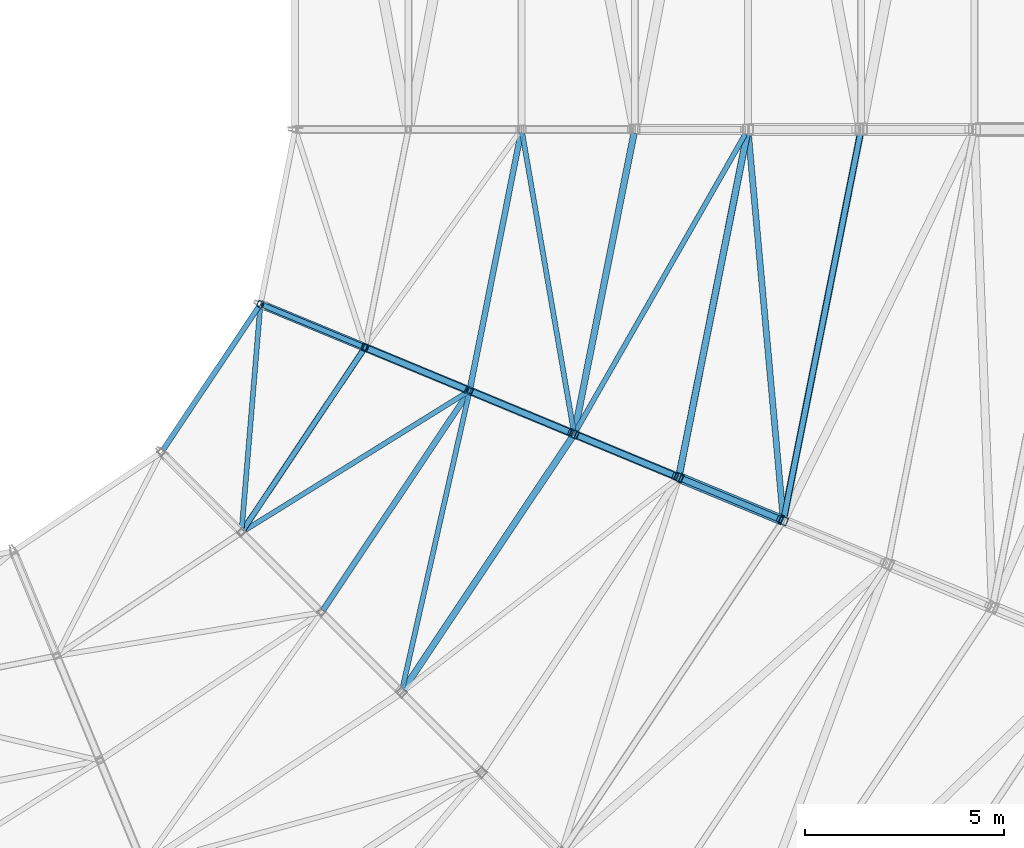
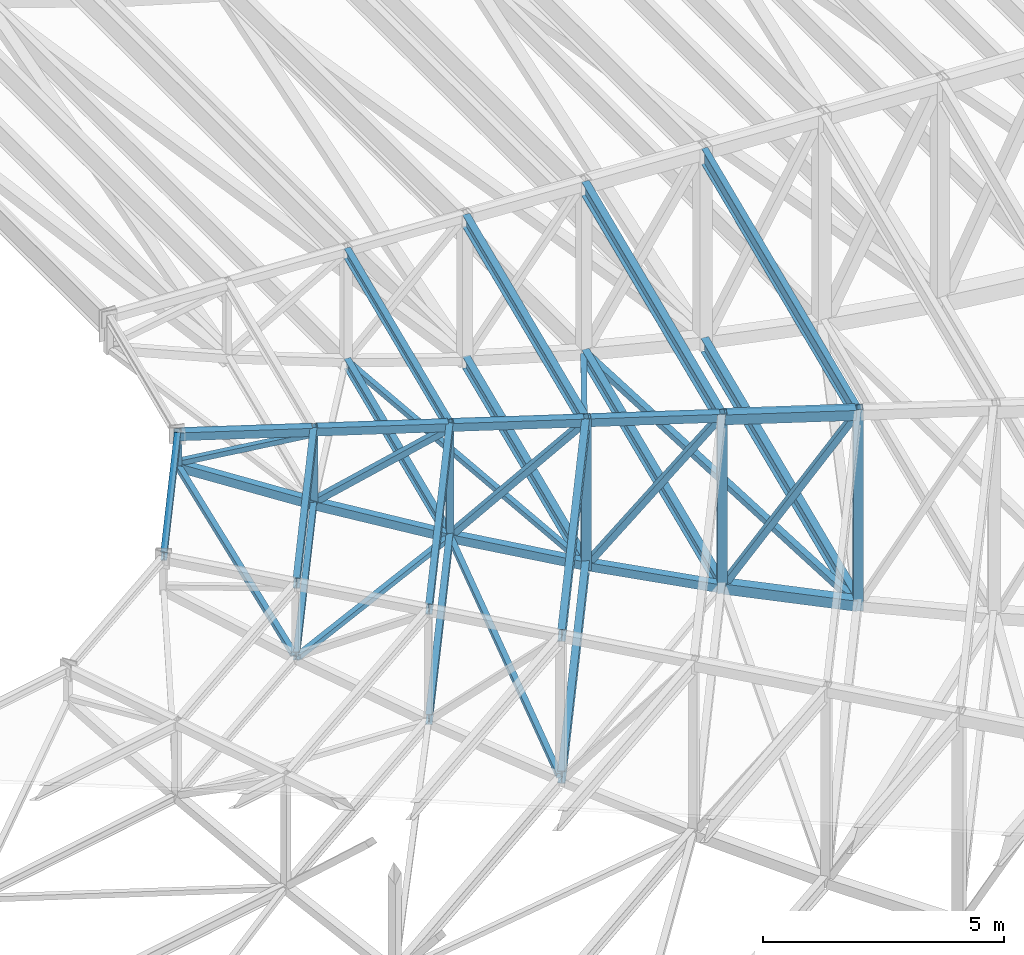
# One storey, part 48 of 278: 26 members, 16 beams.
"""IFC4 building model written with IfcOpenShell, lengths in metres."""

from ifc_helpers import new_model, si_unit, direction, frame, origin, origin_2d, place, context, subcontext, project, spatial, hollow_rectangle, i_section, extrude, material, material_profile, profile_set, type_object, element, save


model = new_model("IFC4")

# Units and contexts
model_context = context("Model", 3, precision=1e-05, world=origin(), true_north=direction((0.0, 1.0)))
body_context = subcontext(model_context, "Body", "Model", "MODEL_VIEW")
ifc_project = project(units=[si_unit("LENGTHUNIT", "METRE"), si_unit("AREAUNIT", "SQUARE_METRE"), si_unit("VOLUMEUNIT", "CUBIC_METRE"), si_unit("PLANEANGLEUNIT", "RADIAN"), si_unit("MASSUNIT", "GRAM", prefix="KILO")], contexts=[model_context])

# Site, building, storey
site_placement = place(None, origin())
site = spatial("IfcSite", under=ifc_project, at=site_placement, CompositionType="ELEMENT")
building_placement = place(site_placement, origin())
building = spatial("IfcBuilding", under=site, at=building_placement, Name="Ogive Plaza Stadium", CompositionType="ELEMENT")
storey_placement = place(building_placement, frame((0.0, 0.0, 29.0)))
storey = spatial("IfcBuildingStorey", under=building, at=storey_placement, Name="Roof", CompositionType="ELEMENT", Elevation=29.0)

# Members
ifc_material_1 = material(Name="Steel ASTM A500 Grade C", Category="steel")
ifc_material_profile_1 = material_profile(ifc_material_1, hollow_rectangle(XDim=0.126953125, YDim=0.126953125, WallThickness=0.005859375, at=origin_2d()), Name="HSS5X5X1/4")
ifc_profile_set_1 = profile_set([ifc_material_profile_1], Name="Steel ASTM A500 Grade C")
member_type_1 = type_object("IfcMemberType", Name="Roof plan brace HSS5X5X1/4", PredefinedType="BRACE", material=ifc_profile_set_1)
member_1_placement = place(storey_placement, frame((51.21435546875, -52.582763671875, 4.203125), z_axis=(0.168729355142, -0.977977485533, -0.122843162221), x_axis=(0.985441121251, 0.170017047815, 0.0)))
element("IfcMember", 1, at=member_1_placement, inside=storey, type_object=member_type_1, Name="ROOF BRACE B08 3", PredefinedType="BRACE", context=body_context, shape_type="SweptSolid", body=[
    extrude(hollow_rectangle(XDim=0.126953125, YDim=0.126953125, WallThickness=0.005859375, at=origin_2d()), origin(), (0.0, 0.0, 1.0), 7.629638671875),
])
member_2_placement = place(storey_placement, frame((52.563720703125, -60.10302734375, 3.242431640625), z_axis=(0.493347767192, 0.86502645405, -0.091308347927), x_axis=(-0.868655115078, 0.495417289815, 0.0)))
element("IfcMember", 2, at=member_2_placement, inside=storey, type_object=member_type_1, Name="ROOF BRACE B08 4", PredefinedType="BRACE", context=body_context, shape_type="SweptSolid", body=[
    extrude(hollow_rectangle(XDim=0.126953125, YDim=0.126953125, WallThickness=0.005859375, at=origin_2d()), origin(), (0.0, 0.0, 1.0), 8.636474609375),
])
member_3_placement = place(storey_placement, frame((44.618896484375, -56.970947265625, 6.51171875), z_axis=(-0.081056653084, -0.974951652245, -0.207120966527), x_axis=(0.996561754685, -0.082853298664, 0.0)))
element("IfcMember", 3, at=member_3_placement, inside=storey, type_object=member_type_1, Name="ROOF BRACE B09 1", PredefinedType="BRACE", context=body_context, shape_type="SweptSolid", body=[
    extrude(hollow_rectangle(XDim=0.126953125, YDim=0.126953125, WallThickness=0.005859375, at=origin_2d()), origin(), (0.0, 0.0, 1.0), 5.695556640625),
])
member_4_placement = place(storey_placement, frame((44.20068359375, -62.61376953125, 5.295654296875), z_axis=(0.838776078421, 0.520585571833, -0.159515995024), x_axis=(-0.527337952885, 0.849655626385, 0.0)))
element("IfcMember", 4, at=member_4_placement, inside=storey, type_object=member_type_1, Name="ROOF BRACE B09 2", PredefinedType="BRACE", context=body_context, shape_type="SweptSolid", body=[
    extrude(hollow_rectangle(XDim=0.126953125, YDim=0.126953125, WallThickness=0.005859375, at=origin_2d()), origin(), (0.0, 0.0, 1.0), 6.673095703125),
])
member_5_placement = place(storey_placement, frame((49.8779296875, -59.138916015625, 4.206298828125), z_axis=(-0.218386127806, -0.968099836714, -0.122842196891), x_axis=(0.97548797168, -0.220052759827, 0.0)))
element("IfcMember", 5, at=member_5_placement, inside=storey, type_object=member_type_1, Name="ROOF BRACE B09 3", PredefinedType="BRACE", context=body_context, shape_type="SweptSolid", body=[
    extrude(hollow_rectangle(XDim=0.126953125, YDim=0.126953125, WallThickness=0.005859375, at=origin_2d()), origin(), (0.0, 0.0, 1.0), 7.655517578125),
])
ifc_material_2 = material(Name="Steel ASTM A500 Grade C", Category="steel")
ifc_material_profile_2 = material_profile(ifc_material_2, hollow_rectangle(XDim=0.15234375, YDim=0.15234375, WallThickness=0.005859375, at=origin_2d()), Name="HSS6X6X1/4")
ifc_profile_set_2 = profile_set([ifc_material_profile_2], Name="Steel ASTM A500 Grade C")
member_type_2 = type_object("IfcMemberType", Name="Roof plan brace HSS6X6X1/4", PredefinedType="BRACE", material=ifc_profile_set_2)
member_6_placement = place(storey_placement, frame((56.909423828125, -52.60400390625, 2.4326171875), z_axis=(0.089721773876, -0.993414799326, -0.071253349206), x_axis=(0.995946245829, 0.089950405331, 0.0)))
element("IfcMember", 6, at=member_6_placement, inside=storey, type_object=member_type_2, Name="ROOF BRACE B08 5", PredefinedType="BRACE", context=body_context, shape_type="SweptSolid", body=[
    extrude(hollow_rectangle(XDim=0.15234375, YDim=0.15234375, WallThickness=0.005859375, at=origin_2d()), origin(), (0.0, 0.0, 1.0), 9.689697265625),
])
ifc_material_3 = material(Name="Steel ASTM A992 Grade 50", Category="steel")
ifc_material_profile_3 = material_profile(ifc_material_3, i_section(OverallWidth=0.14599609375, OverallDepth=0.25830078125, WebThickness=0.006103515625, FlangeThickness=0.009033203125, at=origin_2d()), Name="W10X22")
ifc_profile_set_3 = profile_set([ifc_material_profile_3], Name="Steel ASTM A992 Grade 50")
member_type_3 = type_object("IfcMemberType", Name="Roof plan strut W10X22", PredefinedType="STRUT", material=ifc_profile_set_3)
member_7_placement = place(storey_placement, frame((51.182861328125, -52.58642578125, 4.213623046875), z_axis=(-0.195099869772, -0.980783381188, 0.0), x_axis=(0.980783381188, -0.195099869772, 0.0)))
element("IfcMember", 7, at=member_7_placement, inside=storey, type_object=member_type_3, Name="ROOF STRUT B08 2", PredefinedType="STRUT", context=body_context, shape_type="SweptSolid", body=[
    extrude(i_section(OverallWidth=0.14599609375, OverallDepth=0.25830078125, WebThickness=0.006103515625, FlangeThickness=0.009033203125, at=origin_2d()), origin(), (0.0, 0.0, 1.0), 6.560791015625),
])
member_8_placement = place(storey_placement, frame((49.856201171875, -59.1337890625, 4.213623046875), z_axis=(-0.555563791422, -0.831473916404, 0.0), x_axis=(0.831473916404, -0.555563791422, 0.0)))
element("IfcMember", 8, at=member_8_placement, inside=storey, type_object=member_type_3, Name="ROOF STRUT B09 2", PredefinedType="STRUT", context=body_context, shape_type="SweptSolid", body=[
    extrude(i_section(OverallWidth=0.14599609375, OverallDepth=0.25830078125, WebThickness=0.006103515625, FlangeThickness=0.009033203125, at=origin_2d()), origin(), (0.0, 0.0, 1.0), 6.5869140625),
])
ifc_material_4 = material(Name="Steel ASTM A992 Grade 50", Category="steel")
ifc_material_profile_4 = material_profile(ifc_material_4, i_section(OverallWidth=0.164794921875, OverallDepth=0.310302734375, WebThickness=0.005859375, FlangeThickness=0.009765625, at=origin_2d()), Name="W12X26")
ifc_profile_set_4 = profile_set([ifc_material_profile_4], Name="Steel ASTM A992 Grade 50")
member_type_4 = type_object("IfcMemberType", Name="Roof plan strut W12X26", PredefinedType="STRUT", material=ifc_profile_set_4)
member_9_placement = place(storey_placement, frame((54.032470703125, -52.588134765625, 3.249755859375), z_axis=(-0.195102482268, -0.9807828615, 0.0), x_axis=(0.9807828615, -0.195102482268, 0.0)))
element("IfcMember", 9, at=member_9_placement, inside=storey, type_object=member_type_4, Name="ROOF STRUT B08 3", PredefinedType="STRUT", context=body_context, shape_type="SweptSolid", body=[
    extrude(i_section(OverallWidth=0.164794921875, OverallDepth=0.310302734375, WebThickness=0.005859375, FlangeThickness=0.009765625, at=origin_2d()), origin(), (0.0, 0.0, 1.0), 7.643310546875),
])
member_10_placement = place(storey_placement, frame((56.87744140625, -52.61376953125, 2.43994140625), z_axis=(-0.195104879523, -0.980782384623, 0.0), x_axis=(0.980782384623, -0.195104879523, 0.0)))
element("IfcMember", 10, at=member_10_placement, inside=storey, type_object=member_type_4, Name="ROOF STRUT B08 4", PredefinedType="STRUT", context=body_context, shape_type="SweptSolid", body=[
    extrude(i_section(OverallWidth=0.164794921875, OverallDepth=0.310302734375, WebThickness=0.005859375, FlangeThickness=0.009765625, at=origin_2d()), origin(), (0.0, 0.0, 1.0), 8.729248046875),
])
member_11_placement = place(storey_placement, frame((52.473876953125, -60.24755859375, 3.249755859375), z_axis=(-0.555562324677, -0.831474896434, 0.0), x_axis=(0.831474896434, -0.555562324677, 0.0)))
element("IfcMember", 11, at=member_11_placement, inside=storey, type_object=member_type_4, Name="ROOF STRUT B09 3", PredefinedType="STRUT", context=body_context, shape_type="SweptSolid", body=[
    extrude(i_section(OverallWidth=0.164794921875, OverallDepth=0.310302734375, WebThickness=0.005859375, FlangeThickness=0.009765625, at=origin_2d()), origin(), (0.0, 0.0, 1.0), 7.643310546875),
])
ifc_material_5 = material(Name="Steel ASTM A992 Grade 50", Category="steel")
ifc_material_profile_5 = material_profile(ifc_material_5, i_section(OverallWidth=0.17138671875, OverallDepth=0.35498046875, WebThickness=0.00732421875, FlangeThickness=0.011474609375, at=origin_2d()), Name="W14X34")
ifc_profile_set_5 = profile_set([ifc_material_profile_5], Name="Steel ASTM A992 Grade 50")
member_type_5 = type_object("IfcMemberType", Name="Roof plan strut W14X34", PredefinedType="STRUT", material=ifc_profile_set_5)
member_12_placement = place(storey_placement, frame((59.72216796875, -52.6396484375, 1.733154296875), z_axis=(-0.19508268848, -0.980786798777, 0.0), x_axis=(0.980786798777, -0.19508268848, 0.0)))
element("IfcMember", 12, at=member_12_placement, inside=storey, type_object=member_type_5, Name="ROOF STRUT B08 5", PredefinedType="STRUT", context=body_context, shape_type="SweptSolid", body=[
    extrude(i_section(OverallWidth=0.17138671875, OverallDepth=0.35498046875, WebThickness=0.00732421875, FlangeThickness=0.011474609375, at=origin_2d()), origin(), (0.0, 0.0, 1.0), 9.81396484375),
])
ifc_material_6 = material(Name="Steel ASTM A992 Grade 50", Category="steel")
ifc_material_profile_6 = material_profile(ifc_material_6, i_section(OverallWidth=0.13330078125, OverallDepth=0.206787109375, WebThickness=0.005859375, FlangeThickness=0.00830078125, at=origin_2d()), Name="W8X18")
ifc_profile_set_6 = profile_set([ifc_material_profile_6], Name="Steel ASTM A992 Grade 50")
member_type_6 = type_object("IfcMemberType", Name="Roof plan strut W8X18", PredefinedType="STRUT", material=ifc_profile_set_6)
member_13_placement = place(storey_placement, frame((47.223876953125, -58.042236328125, 5.305908203125), z_axis=(-0.555584527762, -0.831460060683, 0.0), x_axis=(0.831460060683, -0.555584527762, 0.0)))
element("IfcMember", 13, at=member_13_placement, inside=storey, type_object=member_type_6, Name="ROOF STRUT B09 1", PredefinedType="STRUT", context=body_context, shape_type="SweptSolid", body=[
    extrude(i_section(OverallWidth=0.13330078125, OverallDepth=0.206787109375, WebThickness=0.005859375, FlangeThickness=0.00830078125, at=origin_2d()), origin(), (0.0, 0.0, 1.0), 5.47705078125),
])
ifc_material_7 = material(Name="Steel ASTM A992 Grade 50", Category="steel")
ifc_material_profile_7 = material_profile(ifc_material_7, i_section(OverallWidth=0.14599609375, OverallDepth=0.25830078125, WebThickness=0.006103515625, FlangeThickness=0.009033203125, at=origin_2d()), Name="W10X22")
ifc_profile_set_7 = profile_set([ifc_material_profile_7], Name="Steel ASTM A992 Grade 50")
member_type_7 = type_object("IfcMemberType", Name="Roof purlin W10X22", PredefinedType="PURLIN", material=ifc_profile_set_7)
member_14_placement = place(storey_placement, frame((51.182861328125, -52.58642578125, 7.0107421875), z_axis=(-0.195099869772, -0.980783381188, 0.0), x_axis=(0.980783381188, -0.195099869772, 0.0)))
element("IfcMember", 14, at=member_14_placement, inside=storey, type_object=member_type_7, Name="ROOF PURLIN B08 2", PredefinedType="PURLIN", context=body_context, shape_type="SweptSolid", body=[
    extrude(i_section(OverallWidth=0.14599609375, OverallDepth=0.25830078125, WebThickness=0.006103515625, FlangeThickness=0.009033203125, at=origin_2d()), origin(), (0.0, 0.0, 1.0), 6.560791015625),
])
member_15_placement = place(storey_placement, frame((47.22314453125, -58.043212890625, 7.1533203125), z_axis=(-0.55556435353, -0.831473540822, 0.0), x_axis=(0.831473540822, -0.55556435353, 0.0)))
element("IfcMember", 15, at=member_15_placement, inside=storey, type_object=member_type_7, Name="ROOF PURLIN B09 1", PredefinedType="PURLIN", context=body_context, shape_type="SweptSolid", body=[
    extrude(i_section(OverallWidth=0.14599609375, OverallDepth=0.25830078125, WebThickness=0.006103515625, FlangeThickness=0.009033203125, at=origin_2d()), origin(), (0.0, 0.0, 1.0), 5.474609375),
])
member_16_placement = place(storey_placement, frame((49.856201171875, -59.1337890625, 7.0107421875), z_axis=(-0.555563791422, -0.831473916404, 0.0), x_axis=(0.831473916404, -0.555563791422, 0.0)))
element("IfcMember", 16, at=member_16_placement, inside=storey, type_object=member_type_7, Name="ROOF PURLIN B09 2", PredefinedType="PURLIN", context=body_context, shape_type="SweptSolid", body=[
    extrude(i_section(OverallWidth=0.14599609375, OverallDepth=0.25830078125, WebThickness=0.006103515625, FlangeThickness=0.009033203125, at=origin_2d()), origin(), (0.0, 0.0, 1.0), 6.5869140625),
])
ifc_material_8 = material(Name="Steel ASTM A992 Grade 50", Category="steel")
ifc_material_profile_8 = material_profile(ifc_material_8, i_section(OverallWidth=0.164794921875, OverallDepth=0.310302734375, WebThickness=0.005859375, FlangeThickness=0.009765625, at=origin_2d()), Name="W12X26")
ifc_profile_set_8 = profile_set([ifc_material_profile_8], Name="Steel ASTM A992 Grade 50")
member_type_8 = type_object("IfcMemberType", Name="Roof purlin W12X26", PredefinedType="PURLIN", material=ifc_profile_set_8)
for number, where, z_axis, x_axis, name in (
    (17, (54.032470703125, -52.588134765625, 6.84228515625), (-0.195102482268, -0.9807828615, 0.0), (0.9807828615, -0.195102482268, 0.0), "ROOF PURLIN B08 3"),
    (18, (52.473876953125, -60.24755859375, 6.84228515625), (-0.555562324677, -0.831474896434, 0.0), (0.831474896434, -0.555562324677, 0.0), "ROOF PURLIN B09 3"),
):
    element("IfcMember", number, at=place(storey_placement, frame(where, z_axis=z_axis, x_axis=x_axis)), inside=storey, type_object=member_type_8, Name=name, PredefinedType="PURLIN", context=body_context, shape_type="SweptSolid", body=[
        extrude(i_section(OverallWidth=0.164794921875, OverallDepth=0.310302734375, WebThickness=0.005859375, FlangeThickness=0.009765625, at=origin_2d()), origin(), (0.0, 0.0, 1.0), 7.643310546875),
    ])
ifc_material_9 = material(Name="Steel ASTM A992 Grade 50", Category="steel")
ifc_material_profile_9 = material_profile(ifc_material_9, i_section(OverallWidth=0.17138671875, OverallDepth=0.35498046875, WebThickness=0.00732421875, FlangeThickness=0.011474609375, at=origin_2d()), Name="W14X34")
ifc_profile_set_9 = profile_set([ifc_material_profile_9], Name="Steel ASTM A992 Grade 50")
member_type_9 = type_object("IfcMemberType", Name="Roof purlin W14X34", PredefinedType="PURLIN", material=ifc_profile_set_9)
member_17_placement = place(storey_placement, frame((56.877197265625, -52.6142578125, 6.677490234375), z_axis=(-0.195077827826, -0.980787765569, 0.0), x_axis=(0.980787765569, -0.195077827826, 0.0)))
element("IfcMember", 19, at=member_17_placement, inside=storey, type_object=member_type_9, Name="ROOF PURLIN B08 4", PredefinedType="PURLIN", context=body_context, shape_type="SweptSolid", body=[
    extrude(i_section(OverallWidth=0.17138671875, OverallDepth=0.35498046875, WebThickness=0.00732421875, FlangeThickness=0.011474609375, at=origin_2d()), origin(), (0.0, 0.0, 1.0), 8.72802734375),
])
ifc_material_10 = material(Name="Steel ASTM A992 Grade 50", Category="steel")
ifc_material_profile_10 = material_profile(ifc_material_10, i_section(OverallWidth=0.140380859375, OverallDepth=0.4033203125, WebThickness=0.007080078125, FlangeThickness=0.01123046875, at=origin_2d()), Name="W16X31")
ifc_profile_set_10 = profile_set([ifc_material_profile_10], Name="Steel ASTM A992 Grade 50")
member_type_10 = type_object("IfcMemberType", Name="Roof purlin W16X31", PredefinedType="PURLIN", material=ifc_profile_set_10)
member_18_placement = place(storey_placement, frame((59.722900390625, -52.63671875, 6.5107421875), z_axis=(-0.195107258144, -0.980781911446, 0.0), x_axis=(0.980781911446, -0.195107258144, 0.0)))
element("IfcMember", 20, at=member_18_placement, inside=storey, type_object=member_type_10, Name="ROOF PURLIN B08 5", PredefinedType="PURLIN", context=body_context, shape_type="SweptSolid", body=[
    extrude(i_section(OverallWidth=0.140380859375, OverallDepth=0.4033203125, WebThickness=0.007080078125, FlangeThickness=0.01123046875, at=origin_2d()), origin(), (0.0, 0.0, 1.0), 9.8203125),
])
ifc_material_11 = material(Name="Steel ASTM A992 Grade 50", Category="steel")
ifc_material_profile_11 = material_profile(ifc_material_11, i_section(OverallWidth=0.13330078125, OverallDepth=0.206787109375, WebThickness=0.005859375, FlangeThickness=0.00830078125, at=origin_2d()), Name="W8X18")
ifc_profile_set_11 = profile_set([ifc_material_profile_11], Name="Steel ASTM A992 Grade 50")
member_type_11 = type_object("IfcMemberType", Name="Roof tip ring beam W8X18", PredefinedType="MEMBER", material=ifc_profile_set_11)
member_19_placement = place(storey_placement, frame((44.5908203125, -56.95166015625, 7.321533203125), z_axis=(-0.555603345252, -0.831447486462, 0.0), x_axis=(0.831447486462, -0.555603345252, 0.0)))
element("IfcMember", 21, at=member_19_placement, inside=storey, type_object=member_type_11, Name="RING BEAM B09", PredefinedType="MEMBER", context=body_context, shape_type="SweptSolid", body=[
    extrude(i_section(OverallWidth=0.13330078125, OverallDepth=0.206787109375, WebThickness=0.005859375, FlangeThickness=0.00830078125, at=origin_2d()), origin(), (0.0, 0.0, 1.0), 4.365234375),
])

# Beams
ifc_material_12 = material(Name="Steel ASTM A500 Grade C", Category="steel")
ifc_material_profile_12 = material_profile(ifc_material_12, hollow_rectangle(XDim=0.25390625, YDim=0.25390625, WallThickness=0.01171875, at=origin_2d()), Name="HSS10X10X1/2")
ifc_profile_set_12 = profile_set([ifc_material_profile_12], Name="Steel ASTM A500 Grade C")
beam_type_1 = type_object("IfcBeamType", Name="Roof truss bottom chord HSS10X10X1/2", PredefinedType="BEAM", material=ifc_profile_set_12)
beam_1_placement = place(storey_placement, frame((55.195556640625, -61.279541015625, 2.433349609375), z_axis=(0.89673257633, -0.371439859665, -0.240630665544), x_axis=(0.382684368678, 0.923879144677, 0.0)))
element("IfcBeam", 22, at=beam_1_placement, inside=storey, type_object=beam_type_1, Name="ROOF TRUSS T09 BOTTOM CHORD 5", PredefinedType="BEAM", context=body_context, shape_type="SweptSolid", body=[
    extrude(hollow_rectangle(XDim=0.25390625, YDim=0.25390625, WallThickness=0.01171875, at=origin_2d()), origin(), (0.0, 0.0, 1.0), 2.849853515625),
])
ifc_material_13 = material(Name="Steel ASTM A500 Grade C", Category="steel")
ifc_material_profile_13 = material_profile(ifc_material_13, hollow_rectangle(XDim=0.203125, YDim=0.203125, WallThickness=0.01171875, at=origin_2d()), Name="HSS8X8X1/2")
ifc_profile_set_13 = profile_set([ifc_material_profile_13], Name="Steel ASTM A500 Grade C")
beam_type_2 = type_object("IfcBeamType", Name="Roof truss bottom chord HSS8X8X1/2", PredefinedType="BEAM", material=ifc_profile_set_13)
beam_2_placement = place(storey_placement, frame((44.66162109375, -56.916259765625, 6.518310546875), z_axis=(0.849251260717, -0.351765143459, -0.393743038055), x_axis=(0.382677632008, 0.923881935076, 0.0)))
element("IfcBeam", 23, at=beam_2_placement, inside=storey, type_object=beam_type_2, Name="ROOF TRUSS T09 BOTTOM CHORD 1", PredefinedType="BEAM", context=body_context, shape_type="SweptSolid", body=[
    extrude(hollow_rectangle(XDim=0.203125, YDim=0.203125, WallThickness=0.01171875, at=origin_2d()), origin(), (0.0, 0.0, 1.0), 3.047607421875),
])
beam_3_placement = place(storey_placement, frame((47.291259765625, -58.00537109375, 5.299072265625), z_axis=(0.862700869161, -0.357350015784, -0.357838198866), x_axis=(0.38269039354, 0.923876649068, 0.0)))
element("IfcBeam", 24, at=beam_3_placement, inside=storey, type_object=beam_type_2, Name="ROOF TRUSS T09 BOTTOM CHORD 2", PredefinedType="BEAM", context=body_context, shape_type="SweptSolid", body=[
    extrude(hollow_rectangle(XDim=0.203125, YDim=0.203125, WallThickness=0.01171875, at=origin_2d()), origin(), (0.0, 0.0, 1.0), 3.00048828125),
])
beam_4_placement = place(storey_placement, frame((49.9208984375, -59.0947265625, 4.208251953125), z_axis=(0.875211905582, -0.362478322525, -0.320333554327), x_axis=(0.382641697258, 0.923896818654, 0.0)))
element("IfcBeam", 25, at=beam_4_placement, inside=storey, type_object=beam_type_2, Name="ROOF TRUSS T09 BOTTOM CHORD 3", PredefinedType="BEAM", context=body_context, shape_type="SweptSolid", body=[
    extrude(hollow_rectangle(XDim=0.203125, YDim=0.203125, WallThickness=0.01171875, at=origin_2d()), origin(), (0.0, 0.0, 1.0), 2.93115234375),
])
beam_5_placement = place(storey_placement, frame((52.564697265625, -60.189697265625, 3.2412109375), z_axis=(0.886574426433, -0.36727087962, -0.281243466376), x_axis=(0.382718768474, 0.923864895024, 0.0)))
element("IfcBeam", 26, at=beam_5_placement, inside=storey, type_object=beam_type_2, Name="ROOF TRUSS T09 BOTTOM CHORD 4", PredefinedType="BEAM", context=body_context, shape_type="SweptSolid", body=[
    extrude(hollow_rectangle(XDim=0.203125, YDim=0.203125, WallThickness=0.01171875, at=origin_2d()), origin(), (0.0, 0.0, 1.0), 2.877685546875),
])

# Members
ifc_material_14 = material(Name="Steel ASTM A500 Grade C", Category="steel")
ifc_material_profile_14 = material_profile(ifc_material_14, hollow_rectangle(XDim=0.126953125, YDim=0.126953125, WallThickness=0.005859375, at=origin_2d()), Name="HSS5X5X1/4")
ifc_profile_set_14 = profile_set([ifc_material_profile_14], Name="Steel ASTM A500 Grade C")
member_type_12 = type_object("IfcMemberType", Name="Roof truss diagonal HSS5X5X1/4", PredefinedType="BRACE", material=ifc_profile_set_14)
member_20_placement = place(storey_placement, frame((44.695068359375, -56.929931640625, 6.628173828125), z_axis=(0.911200476609, -0.377494789927, 0.164958706972), x_axis=(0.382738120768, 0.923856877937, 0.0)))
element("IfcMember", 27, at=member_20_placement, inside=storey, type_object=member_type_12, Name="ROOF TRUSS T09 DIAGONAL 1", PredefinedType="BRACE", context=body_context, shape_type="SweptSolid", body=[
    extrude(hollow_rectangle(XDim=0.126953125, YDim=0.126953125, WallThickness=0.005859375, at=origin_2d()), origin(), (0.0, 0.0, 1.0), 2.735107421875),
])
ifc_material_15 = material(Name="Steel ASTM A500 Grade C", Category="steel")
ifc_material_profile_15 = material_profile(ifc_material_15, hollow_rectangle(XDim=0.15234375, YDim=0.15234375, WallThickness=0.005859375, at=origin_2d()), Name="HSS6X6X1/4")
ifc_profile_set_15 = profile_set([ifc_material_profile_15], Name="Steel ASTM A500 Grade C")
member_type_13 = type_object("IfcMemberType", Name="Roof truss diagonal HSS6X6X1/4", PredefinedType="BRACE", material=ifc_profile_set_15)
member_21_placement = place(storey_placement, frame((47.328125, -58.020751953125, 5.407470703125), z_axis=(0.803712399025, -0.332885582198, 0.493187153947), x_axis=(0.382660871212, 0.923888877324, 0.0)))
element("IfcMember", 28, at=member_21_placement, inside=storey, type_object=member_type_13, Name="ROOF TRUSS T09 DIAGONAL 2", PredefinedType="BRACE", context=body_context, shape_type="SweptSolid", body=[
    extrude(hollow_rectangle(XDim=0.15234375, YDim=0.15234375, WallThickness=0.005859375, at=origin_2d()), origin(), (0.0, 0.0, 1.0), 3.100830078125),
])
member_22_placement = place(storey_placement, frame((49.961181640625, -59.111328125, 4.315185546875), z_axis=(0.677295435038, -0.280576599819, 0.680108568767), x_axis=(0.382720275855, 0.923864270577, 0.0)))
element("IfcMember", 29, at=member_22_placement, inside=storey, type_object=member_type_13, Name="ROOF TRUSS T09 DIAGONAL 3", PredefinedType="BRACE", context=body_context, shape_type="SweptSolid", body=[
    extrude(hollow_rectangle(XDim=0.15234375, YDim=0.15234375, WallThickness=0.005859375, at=origin_2d()), origin(), (0.0, 0.0, 1.0), 3.64501953125),
])
member_23_placement = place(storey_placement, frame((52.61767578125, -60.211669921875, 3.3515625), z_axis=(0.578013230123, -0.239434593828, 0.780110108306), x_axis=(0.382702088427, 0.923871804697, 0.0)))
element("IfcMember", 30, at=member_23_placement, inside=storey, type_object=member_type_13, Name="ROOF TRUSS T09 DIAGONAL 4", PredefinedType="BRACE", context=body_context, shape_type="SweptSolid", body=[
    extrude(hollow_rectangle(XDim=0.15234375, YDim=0.15234375, WallThickness=0.005859375, at=origin_2d()), origin(), (0.0, 0.0, 1.0), 4.23046875),
])
member_24_placement = place(storey_placement, frame((55.250732421875, -61.30224609375, 2.56689453125), z_axis=(0.519572207016, -0.215226146856, 0.826875097827), x_axis=(0.382702088427, 0.923871804697, 0.0)))
element("IfcMember", 31, at=member_24_placement, inside=storey, type_object=member_type_13, Name="ROOF TRUSS T09 DIAGONAL 5", PredefinedType="BRACE", context=body_context, shape_type="SweptSolid", body=[
    extrude(hollow_rectangle(XDim=0.15234375, YDim=0.15234375, WallThickness=0.005859375, at=origin_2d()), origin(), (0.0, 0.0, 1.0), 4.706298828125),
])

# Beams
ifc_material_16 = material(Name="Steel ASTM A500 Grade C", Category="steel")
ifc_material_profile_16 = material_profile(ifc_material_16, hollow_rectangle(XDim=0.15234375, YDim=0.15234375, WallThickness=0.0087890625, at=origin_2d()), Name="HSS6X6X3/8")
ifc_profile_set_16 = profile_set([ifc_material_profile_16], Name="Steel ASTM A500 Grade C")
beam_type_3 = type_object("IfcBeamType", Name="Roof truss post HSS6X6X3/8", PredefinedType="BEAM", material=ifc_profile_set_16)
beam_6_placement = place(storey_placement, frame((44.62451171875, -56.90087890625, 6.425048828125), z_axis=(0.0, 0.0, 1.0), x_axis=(0.382683432365, 0.923879532511, 0.0)))
element("IfcBeam", 32, at=beam_6_placement, inside=storey, type_object=beam_type_3, Name="ROOF TRUSS T09 POST 1", PredefinedType="BEAM", context=body_context, shape_type="SweptSolid", body=[
    extrude(hollow_rectangle(XDim=0.15234375, YDim=0.15234375, WallThickness=0.0087890625, at=origin_2d()), origin(), (0.0, 0.0, 1.0), 1.0),
])
beam_7_placement = place(storey_placement, frame((47.257568359375, -57.991455078125, 5.204345703125), z_axis=(0.0, 0.0, 1.0), x_axis=(0.382683432365, 0.923879532511, 0.0)))
element("IfcBeam", 33, at=beam_7_placement, inside=storey, type_object=beam_type_3, Name="ROOF TRUSS T09 POST 2", PredefinedType="BEAM", context=body_context, shape_type="SweptSolid", body=[
    extrude(hollow_rectangle(XDim=0.15234375, YDim=0.15234375, WallThickness=0.0087890625, at=origin_2d()), origin(), (0.0, 0.0, 1.0), 2.078125),
])
beam_8_placement = place(storey_placement, frame((49.890625, -59.082275390625, 4.112060546875), z_axis=(0.0, 0.0, 1.0), x_axis=(0.382683432365, 0.923879532511, 0.0)))
element("IfcBeam", 34, at=beam_8_placement, inside=storey, type_object=beam_type_3, Name="ROOF TRUSS T09 POST 3", PredefinedType="BEAM", context=body_context, shape_type="SweptSolid", body=[
    extrude(hollow_rectangle(XDim=0.15234375, YDim=0.15234375, WallThickness=0.0087890625, at=origin_2d()), origin(), (0.0, 0.0, 1.0), 3.02783203125),
])
ifc_material_17 = material(Name="Steel ASTM A500 Grade C", Category="steel")
ifc_material_profile_17 = material_profile(ifc_material_17, hollow_rectangle(XDim=0.203125, YDim=0.203125, WallThickness=0.0087890625, at=origin_2d()), Name="HSS8X8X3/8")
ifc_profile_set_17 = profile_set([ifc_material_profile_17], Name="Steel ASTM A500 Grade C")
beam_type_4 = type_object("IfcBeamType", Name="Roof truss post HSS8X8X3/8", PredefinedType="BEAM", material=ifc_profile_set_17)
beam_9_placement = place(storey_placement, frame((52.523681640625, -60.1728515625, 3.148193359375), z_axis=(0.0, 0.0, 1.0), x_axis=(0.382683432365, 0.923879532511, 0.0)))
element("IfcBeam", 35, at=beam_9_placement, inside=storey, type_object=beam_type_4, Name="ROOF TRUSS T09 POST 4", PredefinedType="BEAM", context=body_context, shape_type="SweptSolid", body=[
    extrude(hollow_rectangle(XDim=0.203125, YDim=0.203125, WallThickness=0.0087890625, at=origin_2d()), origin(), (0.0, 0.0, 1.0), 3.849365234375),
])
beam_10_placement = place(storey_placement, frame((55.15673828125, -61.263427734375, 2.31298828125), z_axis=(0.0, 0.0, 1.0), x_axis=(0.382683432365, 0.923879532511, 0.0)))
element("IfcBeam", 36, at=beam_10_placement, inside=storey, type_object=beam_type_4, Name="ROOF TRUSS T09 POST 5", PredefinedType="BEAM", context=body_context, shape_type="SweptSolid", body=[
    extrude(hollow_rectangle(XDim=0.203125, YDim=0.203125, WallThickness=0.0087890625, at=origin_2d()), origin(), (0.0, 0.0, 1.0), 4.5419921875),
])
beam_11_placement = place(storey_placement, frame((57.789794921875, -62.35400390625, 1.606201171875), z_axis=(0.0, 0.0, 1.0), x_axis=(0.382683432365, 0.923879532511, 0.0)))
element("IfcBeam", 37, at=beam_11_placement, inside=storey, type_object=beam_type_4, Name="ROOF TRUSS T09 POST 6", PredefinedType="BEAM", context=body_context, shape_type="SweptSolid", body=[
    extrude(hollow_rectangle(XDim=0.203125, YDim=0.203125, WallThickness=0.0087890625, at=origin_2d()), origin(), (0.0, 0.0, 1.0), 5.106201171875),
])
ifc_material_18 = material(Name="Steel ASTM A500 Grade C", Category="steel")
ifc_material_profile_18 = material_profile(ifc_material_18, hollow_rectangle(XDim=0.25390625, YDim=0.25390625, WallThickness=0.0087890625, at=origin_2d()), Name="HSS10X10X3/8")
ifc_profile_set_18 = profile_set([ifc_material_profile_18], Name="Steel ASTM A500 Grade C")
beam_type_5 = type_object("IfcBeamType", Name="Roof truss top chord HSS10X10X3/8", PredefinedType="BEAM", material=ifc_profile_set_18)
beam_12_placement = place(storey_placement, frame((55.203125, -61.282470703125, 6.725341796875), z_axis=(0.922705839284, -0.382258780814, -0.049921524843), x_axis=(0.382735997737, 0.923857757469, 0.0)))
element("IfcBeam", 38, at=beam_12_placement, inside=storey, type_object=beam_type_5, Name="ROOF TRUSS T09 TOP CHORD 5", PredefinedType="BEAM", context=body_context, shape_type="SweptSolid", body=[
    extrude(hollow_rectangle(XDim=0.25390625, YDim=0.25390625, WallThickness=0.0087890625, at=origin_2d()), origin(), (0.0, 0.0, 1.0), 2.75341796875),
])
ifc_material_19 = material(Name="Steel ASTM A500 Grade C", Category="steel")
ifc_material_profile_19 = material_profile(ifc_material_19, hollow_rectangle(XDim=0.203125, YDim=0.203125, WallThickness=0.0087890625, at=origin_2d()), Name="HSS8X8X3/8")
ifc_profile_set_19 = profile_set([ifc_material_profile_19], Name="Steel ASTM A500 Grade C")
beam_type_6 = type_object("IfcBeamType", Name="Roof truss top chord HSS8X8X3/8", PredefinedType="BEAM", material=ifc_profile_set_19)
for number, where, z_axis, x_axis, name in (
    (39, (44.66259765625, -56.91650390625, 7.3212890625), (0.922709851429, -0.382245373816, -0.049950017735), (0.382723119906, 0.923863092395, 0.0), "ROOF TRUSS T09 TOP CHORD 1"),
    (40, (47.295654296875, -58.00732421875, 7.1787109375), (0.922740920758, -0.382170146482, -0.049951699644), (0.382647830777, 0.923894278368, 0.0), "ROOF TRUSS T09 TOP CHORD 2"),
):
    element("IfcBeam", number, at=place(storey_placement, frame(where, z_axis=z_axis, x_axis=x_axis)), inside=storey, type_object=beam_type_6, Name=name, PredefinedType="BEAM", context=body_context, shape_type="SweptSolid", body=[
        extrude(hollow_rectangle(XDim=0.203125, YDim=0.203125, WallThickness=0.0087890625, at=origin_2d()), origin(), (0.0, 0.0, 1.0), 2.771240234375),
    ])
beam_13_placement = place(storey_placement, frame((49.9287109375, -59.097900390625, 7.0361328125), z_axis=(0.922739022917, -0.382176583821, -0.049937504593), x_axis=(0.382654004196, 0.923891721509, 0.0)))
element("IfcBeam", 41, at=beam_13_placement, inside=storey, type_object=beam_type_6, Name="ROOF TRUSS T09 TOP CHORD 3", PredefinedType="BEAM", context=body_context, shape_type="SweptSolid", body=[
    extrude(hollow_rectangle(XDim=0.203125, YDim=0.203125, WallThickness=0.0087890625, at=origin_2d()), origin(), (0.0, 0.0, 1.0), 2.76220703125),
])
beam_14_placement = place(storey_placement, frame((52.570068359375, -60.19189453125, 6.893310546875), z_axis=(0.922705839284, -0.382258780814, -0.049921524843), x_axis=(0.382735997737, 0.923857757469, 0.0)))
element("IfcBeam", 42, at=beam_14_placement, inside=storey, type_object=beam_type_6, Name="ROOF TRUSS T09 TOP CHORD 4", PredefinedType="BEAM", context=body_context, shape_type="SweptSolid", body=[
    extrude(hollow_rectangle(XDim=0.203125, YDim=0.203125, WallThickness=0.0087890625, at=origin_2d()), origin(), (0.0, 0.0, 1.0), 2.75341796875),
])

save(model, "model.ifc")
